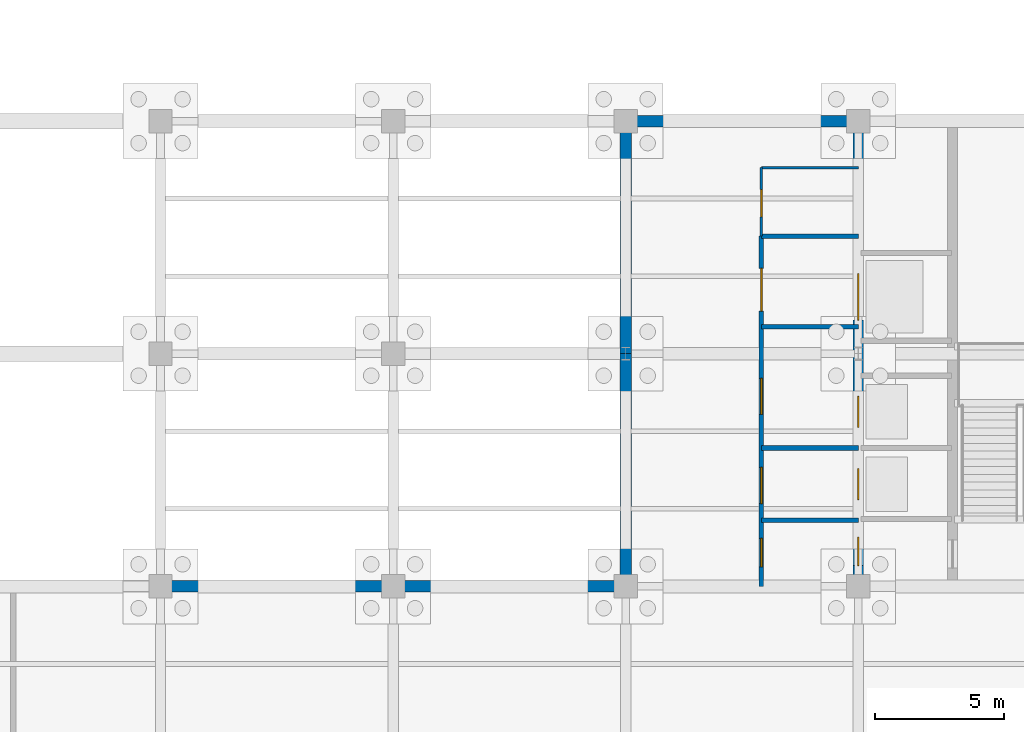
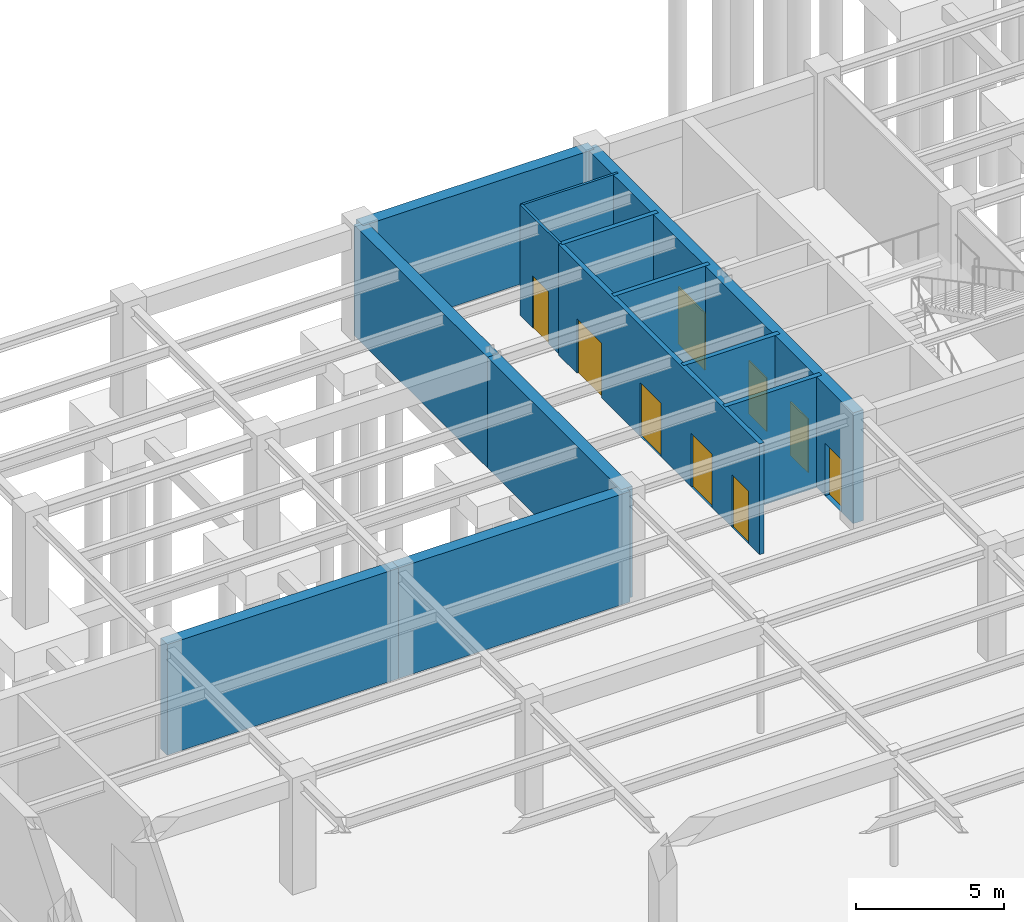
# One storey, part 44 of 49: 13 walls, 9 doors, 9 openings.
"""IFC4 building model written with IfcOpenShell, lengths in metres."""

from ifc_helpers import new_model, si_unit, direction, frame, frame_2d, origin, place, context, subcontext, project, spatial, rectangle, extrude, material, layer, layer_set, type_object, element, fill, save


model = new_model("IFC4")

# Units and contexts
model_context = context("Model", 3, precision=1e-05, world=origin(), true_north=direction((0.0, 1.0)))
body_context = subcontext(model_context, "Body", "Model", "MODEL_VIEW")
ifc_project = project(units=[si_unit("LENGTHUNIT", "METRE"), si_unit("AREAUNIT", "SQUARE_METRE"), si_unit("VOLUMEUNIT", "CUBIC_METRE"), si_unit("PLANEANGLEUNIT", "RADIAN"), si_unit("MASSUNIT", "GRAM", prefix="KILO")], contexts=[model_context])

# Site, building, storey
site_placement = place(None, origin())
site = spatial("IfcSite", under=ifc_project, at=site_placement, CompositionType="ELEMENT")
building_placement = place(site_placement, origin())
building = spatial("IfcBuilding", under=site, at=building_placement, Name="Lykobir Media Centre", CompositionType="ELEMENT")
storey_placement = place(building_placement, frame((0.0, 0.0, -4.800048828125)))
storey = spatial("IfcBuildingStorey", under=building, at=storey_placement, Name="B1", CompositionType="ELEMENT", Elevation=-4.800048828125)

# Walls
ifc_material_1 = material(Name="Concrete C35/45", Category="concrete")
ifc_layer_1 = layer(ifc_material_1, 0.449951171875, Name="Concrete C35/45")
ifc_layer_set_1 = layer_set([ifc_layer_1], Name="Concrete C35/45")
wall_type_1 = type_object("IfcWallType", Name="BW-RET-450", PredefinedType="USERDEFINED", material=ifc_layer_set_1)
for number, where, z_axis, x_axis, name in (
    (1, (126.0, 90.0, 0.0), (0.0, 0.0, 1.0), (-1.0, 0.0, 0.0), "Basement retaining wall WALL-B1-0008"),
    (2, (117.0, 81.0, 0.0), (0.0, 0.0, 1.0), (0.0, -1.0, 0.0), "Basement retaining wall WALL-B1-0009"),
    (3, (117.0, 90.0, 0.0), (0.0, 0.0, 1.0), (0.0, -1.0, 0.0), "Basement retaining wall WALL-B1-0010"),
    (4, (108.0, 72.0, 0.0), (0.0, 0.0, 1.0), (-1.0, 0.0, 0.0), "Basement retaining wall WALL-B1-0012"),
    (5, (117.0, 72.0, 0.0), (0.0, 0.0, 1.0), (-1.0, 0.0, 0.0), "Basement retaining wall WALL-B1-0013"),
):
    element("IfcWall", number, at=place(storey_placement, frame(where, z_axis=z_axis, x_axis=x_axis)), inside=storey, type_object=wall_type_1, Name=name, ObjectType="RETAININGWALL", PredefinedType="USERDEFINED", context=body_context, shape_type="SweptSolid", body=[
        extrude(rectangle(XDim=9.0, YDim=0.449951171875, at=frame_2d((4.5, 0.0))), origin(), (0.0, 0.0, 1.0), 4.550048828125),
    ])

# Wall, openings, doors
ifc_material_2 = material(Name="Acoustic Gypsum Board", Category="gypsum")
ifc_layer_2 = layer(ifc_material_2, 0.179931640625, Name="Acoustic Gypsum Board")
ifc_layer_set_2 = layer_set([ifc_layer_2], Name="Acoustic Gypsum Board")
wall_type_2 = type_object("IfcWallType", Name="IW-FFLOB-180", PredefinedType="PARTITIONING", material=ifc_layer_set_2)
wall_1_placement = place(storey_placement, frame((122.25, 72.0, 0.0), z_axis=(0.0, 0.0, 1.0), x_axis=(0.0, 1.0, 0.0)))
wall_1 = element("IfcWall", 6, at=wall_1_placement, inside=storey, type_object=wall_type_2, Name="Wall IWALL-B1-0465", PredefinedType="PARTITIONING", context=body_context, shape_type="SweptSolid", body=[
    extrude(rectangle(XDim=13.550048828125, YDim=0.179931640625, at=frame_2d((6.77490234375, 0.0))), origin(), (0.0, 0.0, 1.0), 4.550048828125),
])
opening_1_placement = place(wall_1_placement, frame((0.75, 0.0, 0.0)))
opening_1 = element("IfcOpeningElement", 7, at=opening_1_placement, cuts=wall_1, Name="Opening D-B1-C4LV", PredefinedType="OPENING", context=body_context, shape_type="SweptSolid", body=[
    extrude(rectangle(XDim=1.10009765625, YDim=2.159912109375, at=frame_2d((0.550048828125, 1.080078125))), frame((0.0, 0.099853515625, 0.0), z_axis=(0.0, -1.0, 0.0), x_axis=(1.0, 0.0, 0.0)), (0.0, 0.0, 1.0), 0.199951171875),
])
opening_2_placement = place(wall_1_placement, frame((3.199951171875, 0.0, 0.0)))
opening_2 = element("IfcOpeningElement", 8, at=opening_2_placement, cuts=wall_1, Name="Opening D-B1-C4PL", PredefinedType="OPENING", context=body_context, shape_type="SweptSolid", body=[
    extrude(rectangle(XDim=1.39990234375, YDim=2.199951171875, at=frame_2d((0.699951171875, 1.10009765625))), frame((0.0, 0.099853515625, 0.0), z_axis=(0.0, -1.0, 0.0), x_axis=(1.0, 0.0, 0.0)), (0.0, 0.0, 1.0), 0.199951171875),
])
opening_3_placement = place(wall_1_placement, frame((6.64990234375, 0.0, 0.0)))
opening_3 = element("IfcOpeningElement", 9, at=opening_3_placement, cuts=wall_1, Name="Opening D-B1-C4FF", PredefinedType="OPENING", context=body_context, shape_type="SweptSolid", body=[
    extrude(rectangle(XDim=1.39990234375, YDim=2.199951171875, at=frame_2d((0.699951171875, 1.10009765625))), frame((0.0, 0.099853515625, 0.0), z_axis=(0.0, -1.0, 0.0), x_axis=(1.0, 0.0, 0.0)), (0.0, 0.0, 1.0), 0.199951171875),
])
opening_4_placement = place(wall_1_placement, frame((10.64990234375, 0.0, 0.0)))
opening_4 = element("IfcOpeningElement", 10, at=opening_4_placement, cuts=wall_1, Name="Opening D-B1-C4GL", PredefinedType="OPENING", context=body_context, shape_type="SweptSolid", body=[
    extrude(rectangle(XDim=1.64990234375, YDim=2.25, at=frame_2d((0.824951171875, 1.125))), frame((0.0, 0.099853515625, 0.0), z_axis=(0.0, -1.0, 0.0), x_axis=(1.0, 0.0, 0.0)), (0.0, 0.0, 1.0), 0.199951171875),
])
ifc_material_3 = material(Name="Acoustic Timber Panelling", Category="wood")
door_type_1 = type_object("IfcDoorType", Name="FD-1100x2160", OperationType="NOTDEFINED", PredefinedType="DOOR", material=ifc_material_3)
door_1_placement = place(opening_1_placement, origin())
door_1 = element("IfcDoor", 11, at=door_1_placement, inside=storey, type_object=door_type_1, Name="Door D-B1-C4LV", OperationType="SINGLE_SWING_LEFT", OverallHeight=2.159912109375, OverallWidth=1.10009765625, PredefinedType="DOOR", context=body_context, shape_type="SweptSolid", body=[
    extrude(rectangle(XDim=1.10009765625, YDim=2.159912109375, at=frame_2d((0.550048828125, 1.080078125))), frame((0.0, 0.02490234375, 0.0), z_axis=(0.0, -1.0, 0.0), x_axis=(1.0, 0.0, 0.0)), (0.0, 0.0, 1.0), 0.050048828125),
])
fill(opening_1, door_1)
door_type_2 = type_object("IfcDoorType", Name="FD-1400x2200", OperationType="NOTDEFINED", PredefinedType="DOOR", material=ifc_material_3)
door_2_placement = place(opening_2_placement, origin())
door_2 = element("IfcDoor", 12, at=door_2_placement, inside=storey, type_object=door_type_2, Name="Door D-B1-C4PL", OperationType="DOUBLE_DOOR_SINGLE_SWING", OverallHeight=2.199951171875, OverallWidth=1.39990234375, PredefinedType="DOOR", context=body_context, shape_type="SweptSolid", body=[
    extrude(rectangle(XDim=1.39990234375, YDim=2.199951171875, at=frame_2d((0.699951171875, 1.10009765625))), frame((0.0, 0.02490234375, 0.0), z_axis=(0.0, -1.0, 0.0), x_axis=(1.0, 0.0, 0.0)), (0.0, 0.0, 1.0), 0.050048828125),
])
fill(opening_2, door_2)
door_3_placement = place(opening_3_placement, origin())
door_3 = element("IfcDoor", 13, at=door_3_placement, inside=storey, type_object=door_type_2, Name="Door D-B1-C4FF", OperationType="DOUBLE_DOOR_SINGLE_SWING", OverallHeight=2.199951171875, OverallWidth=1.39990234375, PredefinedType="DOOR", context=body_context, shape_type="SweptSolid", body=[
    extrude(rectangle(XDim=1.39990234375, YDim=2.199951171875, at=frame_2d((0.699951171875, 1.10009765625))), frame((0.0, 0.02490234375, 0.0), z_axis=(0.0, -1.0, 0.0), x_axis=(1.0, 0.0, 0.0)), (0.0, 0.0, 1.0), 0.050048828125),
])
fill(opening_3, door_3)
door_type_3 = type_object("IfcDoorType", Name="FD-1650x2250", OperationType="NOTDEFINED", PredefinedType="DOOR", material=ifc_material_3)
door_4_placement = place(opening_4_placement, origin())
door_4 = element("IfcDoor", 14, at=door_4_placement, inside=storey, type_object=door_type_3, Name="Door D-B1-C4GL", OperationType="DOUBLE_DOOR_SINGLE_SWING", OverallHeight=2.25, OverallWidth=1.64990234375, PredefinedType="DOOR", context=body_context, shape_type="SweptSolid", body=[
    extrude(rectangle(XDim=1.64990234375, YDim=2.25, at=frame_2d((0.824951171875, 1.125))), frame((0.0, 0.02490234375, 0.0), z_axis=(0.0, -1.0, 0.0), x_axis=(1.0, 0.0, 0.0)), (0.0, 0.0, 1.0), 0.050048828125),
])
fill(opening_4, door_4)

# Walls
for number, where, z_axis, x_axis, name in (
    (15, (122.25, 74.550048828125, 0.0), (0.0, 0.0, 1.0), (1.0, 0.0, 0.0), "Wall IWALL-B1-0466"),
    (16, (122.25, 77.35009765625, 0.0), (0.0, 0.0, 1.0), (1.0, 0.0, 0.0), "Wall IWALL-B1-0467"),
    (17, (122.25, 82.050048828125, 0.0), (0.0, 0.0, 1.0), (1.0, 0.0, 0.0), "Wall IWALL-B1-0468"),
    (18, (122.25, 85.550048828125, 0.0), (0.0, 0.0, 1.0), (1.0, 0.0, 0.0), "Wall IWALL-B1-0469"),
):
    element("IfcWall", number, at=place(storey_placement, frame(where, z_axis=z_axis, x_axis=x_axis)), inside=storey, type_object=wall_type_2, Name=name, PredefinedType="PARTITIONING", context=body_context, shape_type="SweptSolid", body=[
        extrude(rectangle(XDim=3.75, YDim=0.179931640625, at=frame_2d((1.875, 0.0))), origin(), (0.0, 0.0, 1.0), 4.550048828125),
    ])

# Wall, opening, door
ifc_layer_3 = layer(ifc_material_2, 0.094970703125, Name="Acoustic Gypsum Board")
ifc_layer_set_3 = layer_set([ifc_layer_3], Name="Acoustic Gypsum Board")
wall_type_3 = type_object("IfcWallType", Name="IW-WC-095", PredefinedType="PARTITIONING", material=ifc_layer_set_3)
wall_2_placement = place(storey_placement, frame((122.25, 85.550048828125, 0.0), z_axis=(0.0, 0.0, 1.0), x_axis=(0.0, 1.0, 0.0)))
wall_2 = element("IfcWall", 19, at=wall_2_placement, inside=storey, type_object=wall_type_3, Name="Wall IWALL-B1-0470", PredefinedType="PARTITIONING", context=body_context, shape_type="SweptSolid", body=[
    extrude(rectangle(XDim=2.64990234375, YDim=0.094970703125, at=frame_2d((1.324951171875, 0.0))), origin(), (0.0, 0.0, 1.0), 4.550048828125),
])
opening_5_placement = place(wall_2_placement, frame((0.75, 0.0, 0.0)))
opening_5 = element("IfcOpeningElement", 20, at=opening_5_placement, cuts=wall_2, Name="Opening D-B1-WCA4", PredefinedType="OPENING", context=body_context, shape_type="SweptSolid", body=[
    extrude(rectangle(XDim=1.050048828125, YDim=2.1298828125, at=frame_2d((0.52490234375, 1.06494140625))), frame((0.0, 0.057373046875, 0.0), z_axis=(0.0, -1.0, 0.0), x_axis=(1.0, 0.0, 0.0)), (0.0, 0.0, 1.0), 0.114990234375),
])
door_type_4 = type_object("IfcDoorType", Name="ID-1050x2130", OperationType="NOTDEFINED", PredefinedType="DOOR", material=ifc_material_3)
door_5_placement = place(opening_5_placement, origin())
door_5 = element("IfcDoor", 21, at=door_5_placement, inside=storey, type_object=door_type_4, Name="Door D-B1-WCA4", OperationType="SINGLE_SWING_RIGHT", OverallHeight=2.1298828125, OverallWidth=1.050048828125, PredefinedType="DOOR", context=body_context, shape_type="SweptSolid", body=[
    extrude(rectangle(XDim=1.050048828125, YDim=2.1298828125, at=frame_2d((0.52490234375, 1.06494140625))), frame((0.0, 0.02490234375, 0.0), z_axis=(0.0, -1.0, 0.0), x_axis=(1.0, 0.0, 0.0)), (0.0, 0.0, 1.0), 0.050048828125),
])
fill(opening_5, door_5)

# Wall
wall_3_placement = place(storey_placement, frame((122.25, 88.199951171875, 0.0), z_axis=(0.0, 0.0, 1.0), x_axis=(1.0, 0.0, 0.0)))
element("IfcWall", 22, at=wall_3_placement, inside=storey, type_object=wall_type_3, Name="Wall IWALL-B1-0471", PredefinedType="PARTITIONING", context=body_context, shape_type="SweptSolid", body=[
    extrude(rectangle(XDim=3.75, YDim=0.094970703125, at=frame_2d((1.875, 0.0))), origin(), (0.0, 0.0, 1.0), 4.550048828125),
])

# Wall, openings, doors
ifc_material_4 = material(Name="Concrete C40/50", Category="concrete")
ifc_layer_4 = layer(ifc_material_4, 0.39990234375, Name="Concrete C40/50")
ifc_layer_set_4 = layer_set([ifc_layer_4], Name="Concrete C40/50")
wall_type_4 = type_object("IfcWallType", Name="SW-CORE-400", PredefinedType="SHEAR", material=ifc_layer_set_4)
wall_4_placement = place(storey_placement, frame((126.0, 90.0, 0.0), z_axis=(0.0, 0.0, 1.0), x_axis=(0.0, -1.0, 0.0)))
wall_4 = element("IfcWall", 23, at=wall_4_placement, inside=storey, type_object=wall_type_4, Name="Wall IWALL-B1-0458", PredefinedType="SHEAR", context=body_context, shape_type="SweptSolid", body=[
    extrude(rectangle(XDim=18.0, YDim=0.39990234375, at=frame_2d((9.0, 0.0))), origin(), (0.0, 0.0, 1.0), 4.550048828125),
])
opening_6_placement = place(wall_4_placement, frame((16.10009765625, 0.0, 0.0)))
opening_6 = element("IfcOpeningElement", 24, at=opening_6_placement, cuts=wall_4, Name="Opening D-B1-C4VB", PredefinedType="OPENING", context=body_context, shape_type="SweptSolid", body=[
    extrude(rectangle(XDim=1.10009765625, YDim=2.159912109375, at=frame_2d((0.550048828125, 1.080078125))), frame((0.0, 0.2099609375, 0.0), z_axis=(0.0, -1.0, 0.0), x_axis=(1.0, 0.0, 0.0)), (0.0, 0.0, 1.0), 0.419921875),
])
opening_7_placement = place(wall_4_placement, frame((13.449951171875, 0.0, 0.0)))
opening_7 = element("IfcOpeningElement", 25, at=opening_7_placement, cuts=wall_4, Name="Opening LD-B1-PL-4", PredefinedType="OPENING", context=body_context, shape_type="SweptSolid", body=[
    extrude(rectangle(XDim=1.199951171875, YDim=2.199951171875, at=frame_2d((0.60009765625, 1.10009765625))), frame((0.0, 0.2099609375, 0.0), z_axis=(0.0, -1.0, 0.0), x_axis=(1.0, 0.0, 0.0)), (0.0, 0.0, 1.0), 0.419921875),
])
opening_8_placement = place(wall_4_placement, frame((10.64990234375, 0.0, 0.0)))
opening_8 = element("IfcOpeningElement", 26, at=opening_8_placement, cuts=wall_4, Name="Opening LD-B1-FL-3", PredefinedType="OPENING", context=body_context, shape_type="SweptSolid", body=[
    extrude(rectangle(XDim=1.199951171875, YDim=2.199951171875, at=frame_2d((0.60009765625, 1.10009765625))), frame((0.0, 0.2099609375, 0.0), z_axis=(0.0, -1.0, 0.0), x_axis=(1.0, 0.0, 0.0)), (0.0, 0.0, 1.0), 0.419921875),
])
opening_9_placement = place(wall_4_placement, frame((5.89990234375, 0.0, 0.0)))
opening_9 = element("IfcOpeningElement", 27, at=opening_9_placement, cuts=wall_4, Name="Opening LD-B1-GL-1", PredefinedType="OPENING", context=body_context, shape_type="SweptSolid", body=[
    extrude(rectangle(XDim=1.800048828125, YDim=2.35009765625, at=frame_2d((0.89990234375, 1.175048828125))), frame((0.0, 0.2099609375, 0.0), z_axis=(0.0, -1.0, 0.0), x_axis=(1.0, 0.0, 0.0)), (0.0, 0.0, 1.0), 0.419921875),
])
door_6_placement = place(opening_6_placement, origin())
door_6 = element("IfcDoor", 28, at=door_6_placement, inside=storey, type_object=door_type_1, Name="Door D-B1-C4VB", OperationType="SINGLE_SWING_RIGHT", OverallHeight=2.159912109375, OverallWidth=1.10009765625, PredefinedType="DOOR", context=body_context, shape_type="SweptSolid", body=[
    extrude(rectangle(XDim=1.10009765625, YDim=2.159912109375, at=frame_2d((0.550048828125, 1.080078125))), frame((0.0, 0.02490234375, 0.0), z_axis=(0.0, -1.0, 0.0), x_axis=(1.0, 0.0, 0.0)), (0.0, 0.0, 1.0), 0.050048828125),
])
fill(opening_6, door_6)
ifc_material_5 = material(Name="Anodized Aluminium AW-6060", Category="aluminium")
door_type_5 = type_object("IfcDoorType", Name="LD-1200x2200", OperationType="NOTDEFINED", PredefinedType="DOOR", material=ifc_material_5)
door_7_placement = place(opening_7_placement, origin())
door_7 = element("IfcDoor", 29, at=door_7_placement, inside=storey, type_object=door_type_5, Name="Lift landing door PL-4 B1", OperationType="SLIDING_TO_LEFT", OverallHeight=2.199951171875, OverallWidth=1.199951171875, PredefinedType="DOOR", context=body_context, shape_type="SweptSolid", body=[
    extrude(rectangle(XDim=1.199951171875, YDim=2.199951171875, at=frame_2d((0.60009765625, 1.10009765625))), frame((0.0, 0.02490234375, 0.0), z_axis=(0.0, -1.0, 0.0), x_axis=(1.0, 0.0, 0.0)), (0.0, 0.0, 1.0), 0.050048828125),
])
fill(opening_7, door_7)
door_8_placement = place(opening_8_placement, origin())
door_8 = element("IfcDoor", 30, at=door_8_placement, inside=storey, type_object=door_type_5, Name="Firefighting lift landing door FL-3 B1", OperationType="SLIDING_TO_LEFT", OverallHeight=2.199951171875, OverallWidth=1.199951171875, PredefinedType="DOOR", context=body_context, shape_type="SweptSolid", body=[
    extrude(rectangle(XDim=1.199951171875, YDim=2.199951171875, at=frame_2d((0.60009765625, 1.10009765625))), frame((0.0, 0.02490234375, 0.0), z_axis=(0.0, -1.0, 0.0), x_axis=(1.0, 0.0, 0.0)), (0.0, 0.0, 1.0), 0.050048828125),
])
fill(opening_8, door_8)
door_type_6 = type_object("IfcDoorType", Name="LD-1800x2350", OperationType="NOTDEFINED", PredefinedType="DOOR", material=ifc_material_5)
door_9_placement = place(opening_9_placement, origin())
door_9 = element("IfcDoor", 31, at=door_9_placement, inside=storey, type_object=door_type_6, Name="Goods lift landing door GL-1 B1", OperationType="DOUBLE_DOOR_SLIDING", OverallHeight=2.35009765625, OverallWidth=1.800048828125, PredefinedType="DOOR", context=body_context, shape_type="SweptSolid", body=[
    extrude(rectangle(XDim=1.800048828125, YDim=2.35009765625, at=frame_2d((0.89990234375, 1.175048828125))), frame((0.0, 0.02490234375, 0.0), z_axis=(0.0, -1.0, 0.0), x_axis=(1.0, 0.0, 0.0)), (0.0, 0.0, 1.0), 0.050048828125),
])
fill(opening_9, door_9)

save(model, "model.ifc")
